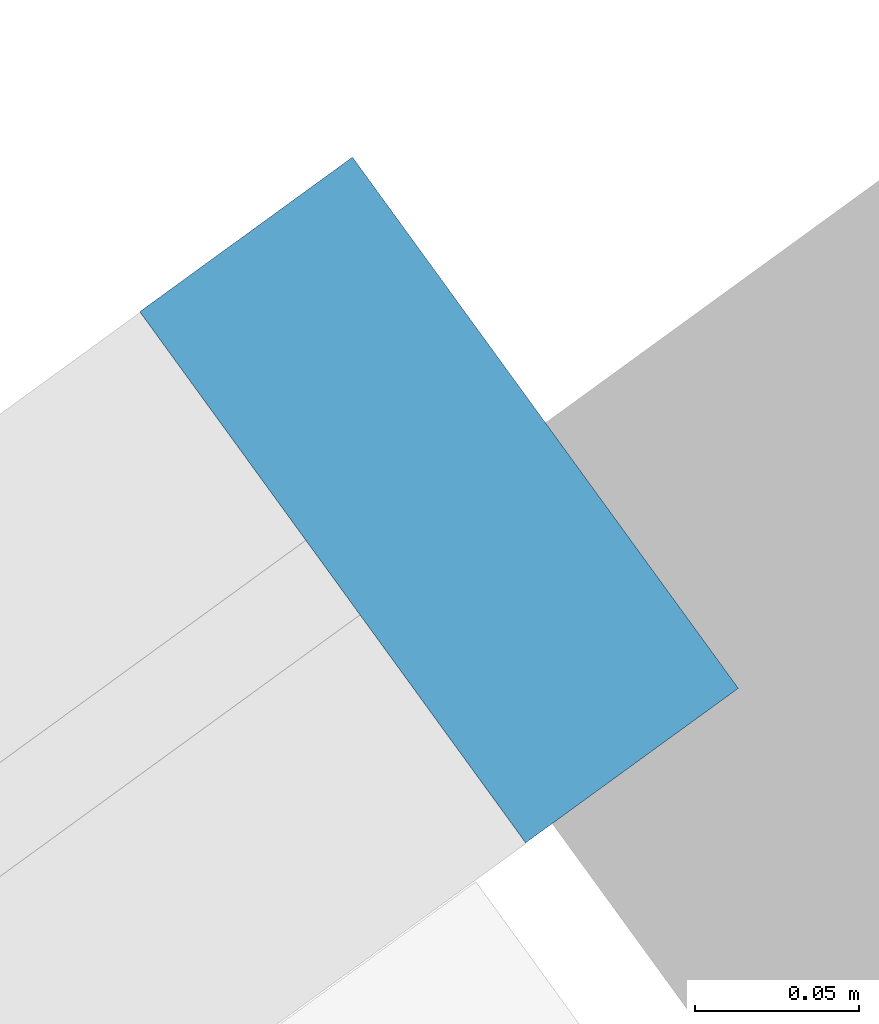
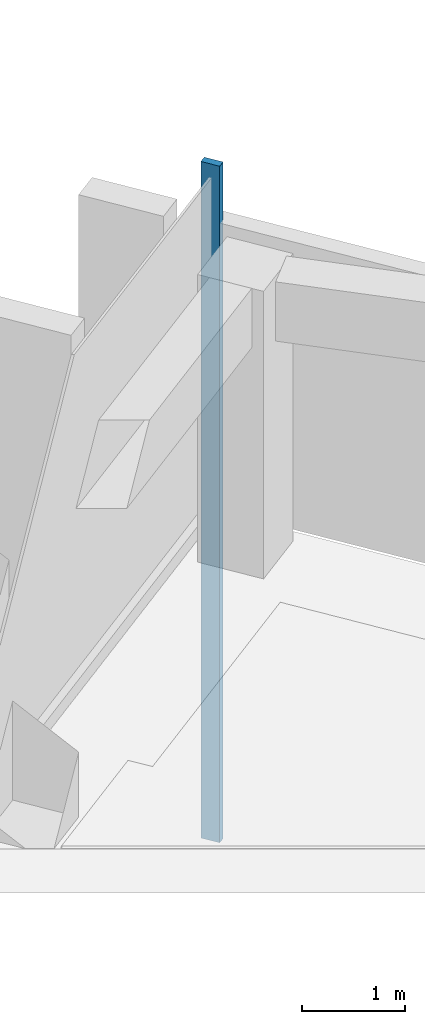
# One storey, part 5 of 13: 1 member, 1 element without a shape of its own.
"""IFC4 building model written with IfcOpenShell, lengths in metres."""

from ifc_helpers import new_model, si_unit, direction, frame, origin, origin_2d, place, context, subcontext, project, spatial, rectangle, extrude, material, material_profile, profile_set, type_object, element, aggregate, save


model = new_model("IFC4")

# Units and contexts
model_context = context("Model", 3, precision=1e-05, world=origin(), true_north=direction((0.0, 1.0)))
body_context = subcontext(model_context, "Body", "Model", "MODEL_VIEW")
ifc_project = project(units=[si_unit("LENGTHUNIT", "METRE"), si_unit("AREAUNIT", "SQUARE_METRE"), si_unit("VOLUMEUNIT", "CUBIC_METRE"), si_unit("PLANEANGLEUNIT", "RADIAN"), si_unit("MASSUNIT", "GRAM", prefix="KILO")], contexts=[model_context])

# Site, building, storey
site_placement = place(None, origin())
site = spatial("IfcSite", under=ifc_project, at=site_placement, CompositionType="ELEMENT")
building_placement = place(site_placement, origin())
building = spatial("IfcBuilding", under=site, at=building_placement, Name="Quipu Civic Tower", CompositionType="ELEMENT")
storey_placement = place(building_placement, frame((0.0, 0.0, 297.0)))
storey = spatial("IfcBuildingStorey", under=building, at=storey_placement, Name="L69", CompositionType="ELEMENT", Elevation=297.0)

# Curtain wall, member
ifc_material_1 = material(Name="Insulated glass unit", Category="glass")
curtain_wall_type = type_object("IfcCurtainWallType", Name="Office curtain wall CW1", PredefinedType="NOTDEFINED", material=ifc_material_1)
curtain_wall_placement = place(storey_placement, origin())
curtain_wall = element("IfcCurtainWall", 1, at=curtain_wall_placement, inside=storey, type_object=curtain_wall_type, Name="Office curtain wall CW1 L68 run 6", PredefinedType="NOTDEFINED")
ifc_material_2 = material(Name="Anodised aluminium", Category="aluminium")
ifc_material_profile = material_profile(ifc_material_2, rectangle(XDim=0.199951171875, YDim=0.080078125, at=origin_2d()), Name="RECT 200x80")
ifc_profile_set = profile_set([ifc_material_profile], Name="Anodised aluminium")
member_type = type_object("IfcMemberType", Name="Mullion CW1", PredefinedType="MULLION", material=ifc_profile_set)
member_placement = place(storey_placement, frame((-28.4111328125, 21.206298828125, -3.919921875), z_axis=(0.0, 0.0, 1.0), x_axis=(0.587787753918, -0.809015176832, 0.0)))
member = element("IfcMember", 2, at=member_placement, type_object=member_type, Name="CW1 mullion 1", PredefinedType="MULLION", context=body_context, shape_type="SweptSolid", body=[
    extrude(rectangle(XDim=0.199951171875, YDim=0.080078125, at=origin_2d()), origin(), (0.0, 0.0, 1.0), 8.0),
])
aggregate(curtain_wall, [member])

save(model, "model.ifc")
